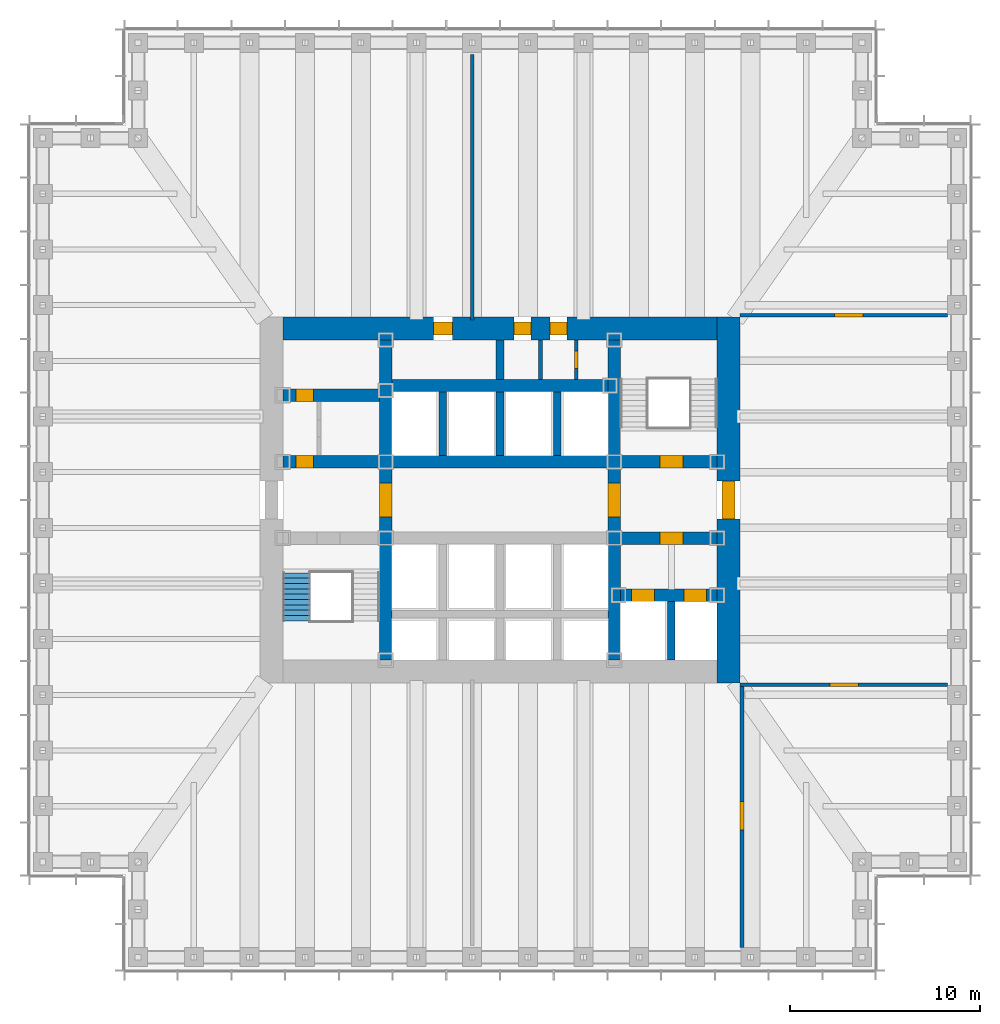
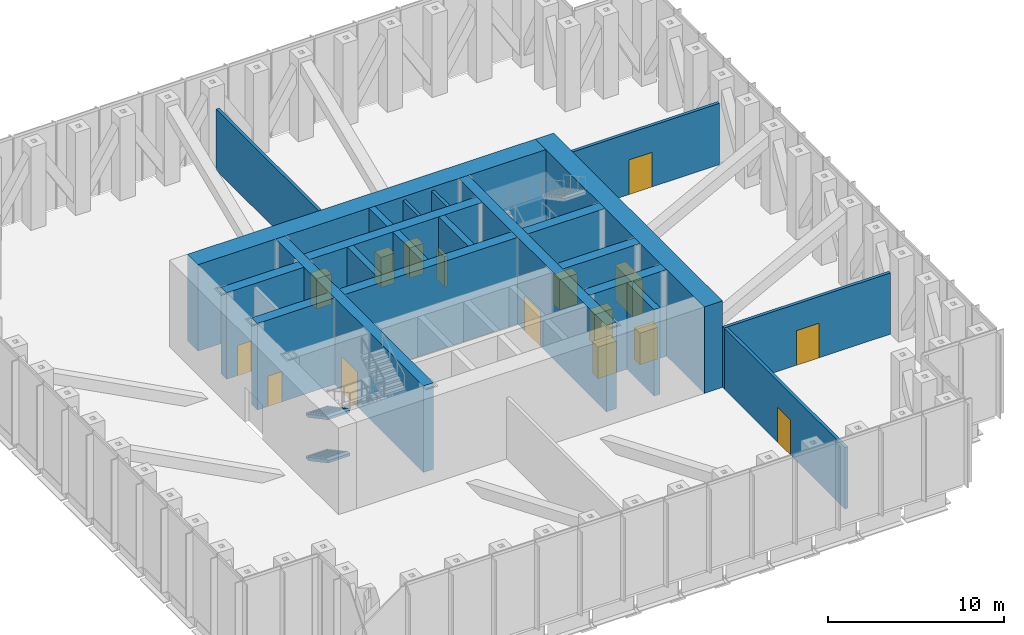
# One storey, part 9 of 15: 22 walls, 16 doors, 2 stair flights, 16 openings, 1 element without a shape of its own.
"""IFC4 building model written with IfcOpenShell, lengths in metres."""

from ifc_helpers import new_model, si_unit, direction, frame, frame_2d, origin, place, context, subcontext, project, spatial, polyline, rectangle, outline, extrude, material, layer, layer_set, type_object, element, fill, aggregate, save


model = new_model("IFC4")

# Units and contexts
model_context = context("Model", 3, precision=1e-05, world=origin(), true_north=direction((0.0, 1.0)))
body_context = subcontext(model_context, "Body", "Model", "MODEL_VIEW")
ifc_project = project(units=[si_unit("LENGTHUNIT", "METRE"), si_unit("AREAUNIT", "SQUARE_METRE"), si_unit("VOLUMEUNIT", "CUBIC_METRE"), si_unit("PLANEANGLEUNIT", "RADIAN"), si_unit("MASSUNIT", "GRAM", prefix="KILO")], contexts=[model_context])

# Site, building, storey
site_placement = place(None, origin())
site = spatial("IfcSite", under=ifc_project, at=site_placement, CompositionType="ELEMENT")
building_placement = place(site_placement, origin())
building = spatial("IfcBuilding", under=site, at=building_placement, Name="Daluyong Arena Tower", CompositionType="ELEMENT")
storey_placement = place(building_placement, frame((0.0, 0.0, 102.10009765625)))
storey = spatial("IfcBuildingStorey", under=building, at=storey_placement, Name="L22", CompositionType="ELEMENT", Elevation=102.10009765625)

# Wall, opening, door
ifc_material_1 = material(Name="Concrete fc' 60 MPa", Category="concrete")
ifc_layer_1 = layer(ifc_material_1, 0.64990234375)
ifc_layer_set_1 = layer_set([ifc_layer_1], Name="Concrete fc' 60 MPa")
wall_type_1 = type_object("IfcWallType", Name="Core inner wall 650", PredefinedType="SHEAR", material=ifc_layer_set_1)
wall_1_placement = place(storey_placement, frame((50.0, 71.60009765625, 0.0), z_axis=(0.0, 0.0, 1.0), x_axis=(0.0, 1.0, 0.0)))
wall_1 = element("IfcWall", 1, at=wall_1_placement, inside=storey, type_object=wall_type_1, Name="core inner wall at L22", PredefinedType="SHEAR", context=body_context, shape_type="SweptSolid", body=[
    extrude(rectangle(XDim=16.7998046875, YDim=0.64990234375, at=frame_2d((8.39990234375, 0.0))), origin(), (0.0, 0.0, 1.0), 6.0),
])
opening_1_placement = place(wall_1_placement, frame((7.5, 0.0, 0.0)))
opening_1 = element("IfcOpeningElement", 2, at=opening_1_placement, cuts=wall_1, Name="Opening 22012", PredefinedType="OPENING", context=body_context, shape_type="SweptSolid", body=[
    extrude(rectangle(XDim=1.800048828125, YDim=2.39990234375, at=frame_2d((0.89990234375, 1.199951171875))), frame((0.0, 0.3349609375, 0.0), z_axis=(0.0, -1.0, 0.0), x_axis=(1.0, 0.0, 0.0)), (0.0, 0.0, 1.0), 0.669921875),
])
ifc_material_2 = material(Name="Steel door, fire rated", Category="steel")
door_type_1 = type_object("IfcDoorType", Name="Lift lobby opening door 1800", OperationType="DOUBLE_DOOR_SINGLE_SWING", PredefinedType="DOOR", material=ifc_material_2)
door_1_placement = place(opening_1_placement, origin())
door_1 = element("IfcDoor", 3, at=door_1_placement, inside=storey, type_object=door_type_1, Name="lift lobby door west 22012", OperationType="DOUBLE_DOOR_SINGLE_SWING", OverallHeight=2.39990234375, OverallWidth=1.800048828125, PredefinedType="DOOR", context=body_context, shape_type="SweptSolid", body=[
    extrude(rectangle(XDim=1.800048828125, YDim=2.39990234375, at=frame_2d((0.89990234375, 1.199951171875))), frame((0.0, 0.32470703125, 0.0), z_axis=(0.0, -1.0, 0.0), x_axis=(1.0, 0.0, 0.0)), (0.0, 0.0, 1.0), 0.6494140625),
])
fill(opening_1, door_1)

wall_2_placement = place(storey_placement, frame((62.0, 71.60009765625, 0.0), z_axis=(0.0, 0.0, 1.0), x_axis=(0.0, 1.0, 0.0)))
wall_2 = element("IfcWall", 4, at=wall_2_placement, inside=storey, type_object=wall_type_1, Name="core inner wall at L22", PredefinedType="SHEAR", context=body_context, shape_type="SweptSolid", body=[
    extrude(rectangle(XDim=16.7998046875, YDim=0.64990234375, at=frame_2d((8.39990234375, 0.0))), origin(), (0.0, 0.0, 1.0), 6.0),
])
opening_2_placement = place(wall_2_placement, frame((7.5, 0.0, 0.0)))
opening_2 = element("IfcOpeningElement", 5, at=opening_2_placement, cuts=wall_2, Name="Opening 22013", PredefinedType="OPENING", context=body_context, shape_type="SweptSolid", body=[
    extrude(rectangle(XDim=1.800048828125, YDim=2.39990234375, at=frame_2d((0.89990234375, 1.199951171875))), frame((0.0, 0.3349609375, 0.0), z_axis=(0.0, -1.0, 0.0), x_axis=(1.0, 0.0, 0.0)), (0.0, 0.0, 1.0), 0.669921875),
])
door_2_placement = place(opening_2_placement, origin())
door_2 = element("IfcDoor", 6, at=door_2_placement, inside=storey, type_object=door_type_1, Name="lift lobby door east 22013", OperationType="DOUBLE_DOOR_SINGLE_SWING", OverallHeight=2.39990234375, OverallWidth=1.800048828125, PredefinedType="DOOR", context=body_context, shape_type="SweptSolid", body=[
    extrude(rectangle(XDim=1.800048828125, YDim=2.39990234375, at=frame_2d((0.89990234375, 1.199951171875))), frame((0.0, 0.32470703125, 0.0), z_axis=(0.0, -1.0, 0.0), x_axis=(1.0, 0.0, 0.0)), (0.0, 0.0, 1.0), 0.6494140625),
])
fill(opening_2, door_2)

wall_3_placement = place(storey_placement, frame((44.60009765625, 82.0, 0.0), z_axis=(0.0, 0.0, 1.0), x_axis=(1.0, 0.0, 0.0)))
wall_3 = element("IfcWall", 7, at=wall_3_placement, inside=storey, type_object=wall_type_1, Name="core inner wall at L22", PredefinedType="SHEAR", context=body_context, shape_type="SweptSolid", body=[
    extrude(rectangle(XDim=5.074951171875, YDim=0.64990234375, at=frame_2d((2.53759765625, 0.0))), origin(), (0.0, 0.0, 1.0), 6.0),
])
opening_3_placement = place(wall_3_placement, frame((0.699951171875, 0.0, 0.0)))
opening_3 = element("IfcOpeningElement", 8, at=opening_3_placement, cuts=wall_3, Name="Opening 22001", PredefinedType="OPENING", context=body_context, shape_type="SweptSolid", body=[
    extrude(rectangle(XDim=0.89990234375, YDim=2.10009765625, at=frame_2d((0.449951171875, 1.050048828125))), frame((0.0, 0.3349609375, 0.0), z_axis=(0.0, -1.0, 0.0), x_axis=(1.0, 0.0, 0.0)), (0.0, 0.0, 1.0), 0.669921875),
])
ifc_material_3 = material(Name="Steel door, fire rated", Category="steel")
door_type_2 = type_object("IfcDoorType", Name="Core room door 900", OperationType="SINGLE_SWING_LEFT", PredefinedType="DOOR", material=ifc_material_3)
door_3_placement = place(opening_3_placement, origin())
door_3 = element("IfcDoor", 9, at=door_3_placement, inside=storey, type_object=door_type_2, Name="toilet lobby door 22001", OperationType="SINGLE_SWING_LEFT", OverallHeight=2.10009765625, OverallWidth=0.89990234375, PredefinedType="DOOR", context=body_context, shape_type="SweptSolid", body=[
    extrude(rectangle(XDim=0.89990234375, YDim=2.10009765625, at=frame_2d((0.449951171875, 1.050048828125))), frame((0.0, 0.32470703125, 0.0), z_axis=(0.0, -1.0, 0.0), x_axis=(1.0, 0.0, 0.0)), (0.0, 0.0, 1.0), 0.6494140625),
])
fill(opening_3, door_3)

wall_4_placement = place(storey_placement, frame((44.60009765625, 85.5, 0.0), z_axis=(0.0, 0.0, 1.0), x_axis=(1.0, 0.0, 0.0)))
wall_4 = element("IfcWall", 10, at=wall_4_placement, inside=storey, type_object=wall_type_1, Name="core inner wall at L22", PredefinedType="SHEAR", context=body_context, shape_type="SweptSolid", body=[
    extrude(rectangle(XDim=5.074951171875, YDim=0.64990234375, at=frame_2d((2.53759765625, 0.0))), origin(), (0.0, 0.0, 1.0), 6.0),
])
opening_4_placement = place(wall_4_placement, frame((0.699951171875, 0.0, 0.0)))
opening_4 = element("IfcOpeningElement", 11, at=opening_4_placement, cuts=wall_4, Name="Opening 22003", PredefinedType="OPENING", context=body_context, shape_type="SweptSolid", body=[
    extrude(rectangle(XDim=0.89990234375, YDim=2.10009765625, at=frame_2d((0.449951171875, 1.050048828125))), frame((0.0, 0.3349609375, 0.0), z_axis=(0.0, -1.0, 0.0), x_axis=(1.0, 0.0, 0.0)), (0.0, 0.0, 1.0), 0.669921875),
])
ifc_material_4 = material(Name="Timber door", Category="wood")
door_type_3 = type_object("IfcDoorType", Name="Toilet door 900", OperationType="SINGLE_SWING_RIGHT", PredefinedType="DOOR", material=ifc_material_4)
door_4_placement = place(opening_4_placement, origin())
door_4 = element("IfcDoor", 12, at=door_4_placement, inside=storey, type_object=door_type_3, Name="female toilet door 22003", OperationType="SINGLE_SWING_RIGHT", OverallHeight=2.10009765625, OverallWidth=0.89990234375, PredefinedType="DOOR", context=body_context, shape_type="SweptSolid", body=[
    extrude(rectangle(XDim=0.89990234375, YDim=2.10009765625, at=frame_2d((0.449951171875, 1.050048828125))), frame((0.0, 0.32470703125, 0.0), z_axis=(0.0, -1.0, 0.0), x_axis=(1.0, 0.0, 0.0)), (0.0, 0.0, 1.0), 0.6494140625),
])
fill(opening_4, door_4)

# Wall, openings, doors
wall_5_placement = place(storey_placement, frame((62.324951171875, 75.0, 0.0), z_axis=(0.0, 0.0, 1.0), x_axis=(1.0, 0.0, 0.0)))
wall_5 = element("IfcWall", 13, at=wall_5_placement, inside=storey, type_object=wall_type_1, Name="core inner wall at L22", PredefinedType="SHEAR", context=body_context, shape_type="SweptSolid", body=[
    extrude(rectangle(XDim=5.074951171875, YDim=0.64990234375, at=frame_2d((2.53759765625, 0.0))), origin(), (0.0, 0.0, 1.0), 6.0),
])
opening_5_placement = place(wall_5_placement, frame((0.574951171875, 0.0, 0.0)))
opening_5 = element("IfcOpeningElement", 14, at=opening_5_placement, cuts=wall_5, Name="Opening 22015", PredefinedType="OPENING", context=body_context, shape_type="SweptSolid", body=[
    extrude(rectangle(XDim=1.199951171875, YDim=2.199951171875, at=frame_2d((0.60009765625, 1.10009765625))), frame((0.0, 0.3349609375, 0.0), z_axis=(0.0, -1.0, 0.0), x_axis=(1.0, 0.0, 0.0)), (0.0, 0.0, 1.0), 0.669921875),
])
opening_6_placement = place(wall_5_placement, frame((3.324951171875, 0.0, 0.0)))
opening_6 = element("IfcOpeningElement", 15, at=opening_6_placement, cuts=wall_5, Name="Opening 22016", PredefinedType="OPENING", context=body_context, shape_type="SweptSolid", body=[
    extrude(rectangle(XDim=1.199951171875, YDim=2.199951171875, at=frame_2d((0.60009765625, 1.10009765625))), frame((0.0, 0.3349609375, 0.0), z_axis=(0.0, -1.0, 0.0), x_axis=(1.0, 0.0, 0.0)), (0.0, 0.0, 1.0), 0.669921875),
])
ifc_material_5 = material(Name="Steel door, fire rated", Category="steel")
door_type_4 = type_object("IfcDoorType", Name="Firefighting lift landing door 1200", OperationType="SLIDING_TO_LEFT", PredefinedType="DOOR", material=ifc_material_5)
door_5_placement = place(opening_5_placement, origin())
door_5 = element("IfcDoor", 16, at=door_5_placement, inside=storey, type_object=door_type_4, Name="firefighting lift landing door F1 22015", OperationType="SLIDING_TO_LEFT", OverallHeight=2.199951171875, OverallWidth=1.199951171875, PredefinedType="DOOR", context=body_context, shape_type="SweptSolid", body=[
    extrude(rectangle(XDim=1.199951171875, YDim=2.199951171875, at=frame_2d((0.60009765625, 1.10009765625))), frame((0.0, 0.32470703125, 0.0), z_axis=(0.0, -1.0, 0.0), x_axis=(1.0, 0.0, 0.0)), (0.0, 0.0, 1.0), 0.6494140625),
])
fill(opening_5, door_5)
door_6_placement = place(opening_6_placement, origin())
door_6 = element("IfcDoor", 17, at=door_6_placement, inside=storey, type_object=door_type_4, Name="firefighting lift landing door F2 22016", OperationType="SLIDING_TO_LEFT", OverallHeight=2.199951171875, OverallWidth=1.199951171875, PredefinedType="DOOR", context=body_context, shape_type="SweptSolid", body=[
    extrude(rectangle(XDim=1.199951171875, YDim=2.199951171875, at=frame_2d((0.60009765625, 1.10009765625))), frame((0.0, 0.32470703125, 0.0), z_axis=(0.0, -1.0, 0.0), x_axis=(1.0, 0.0, 0.0)), (0.0, 0.0, 1.0), 0.6494140625),
])
fill(opening_6, door_6)

# Wall, opening, door
wall_6_placement = place(storey_placement, frame((62.324951171875, 78.0, 0.0), z_axis=(0.0, 0.0, 1.0), x_axis=(1.0, 0.0, 0.0)))
wall_6 = element("IfcWall", 18, at=wall_6_placement, inside=storey, type_object=wall_type_1, Name="core inner wall at L22", PredefinedType="SHEAR", context=body_context, shape_type="SweptSolid", body=[
    extrude(rectangle(XDim=5.074951171875, YDim=0.64990234375, at=frame_2d((2.53759765625, 0.0))), origin(), (0.0, 0.0, 1.0), 6.0),
])
opening_7_placement = place(wall_6_placement, frame((2.074951171875, 0.0, 0.0)))
opening_7 = element("IfcOpeningElement", 19, at=opening_7_placement, cuts=wall_6, Name="Opening 22014", PredefinedType="OPENING", context=body_context, shape_type="SweptSolid", body=[
    extrude(rectangle(XDim=1.199951171875, YDim=2.10009765625, at=frame_2d((0.60009765625, 1.050048828125))), frame((0.0, 0.3349609375, 0.0), z_axis=(0.0, -1.0, 0.0), x_axis=(1.0, 0.0, 0.0)), (0.0, 0.0, 1.0), 0.669921875),
])
ifc_material_6 = material(Name="Steel door, fire rated", Category="steel")
door_type_5 = type_object("IfcDoorType", Name="Firefighting lobby door 1200", OperationType="SINGLE_SWING_RIGHT", PredefinedType="DOOR", material=ifc_material_6)
door_7_placement = place(opening_7_placement, origin())
door_7 = element("IfcDoor", 20, at=door_7_placement, inside=storey, type_object=door_type_5, Name="firefighting lobby door 22014", OperationType="SINGLE_SWING_RIGHT", OverallHeight=2.10009765625, OverallWidth=1.199951171875, PredefinedType="DOOR", context=body_context, shape_type="SweptSolid", body=[
    extrude(rectangle(XDim=1.199951171875, YDim=2.10009765625, at=frame_2d((0.60009765625, 1.050048828125))), frame((0.0, 0.32470703125, 0.0), z_axis=(0.0, -1.0, 0.0), x_axis=(1.0, 0.0, 0.0)), (0.0, 0.0, 1.0), 0.6494140625),
])
fill(opening_7, door_7)

wall_7_placement = place(storey_placement, frame((62.324951171875, 82.0, 0.0), z_axis=(0.0, 0.0, 1.0), x_axis=(1.0, 0.0, 0.0)))
wall_7 = element("IfcWall", 21, at=wall_7_placement, inside=storey, type_object=wall_type_1, Name="core inner wall at L22", PredefinedType="SHEAR", context=body_context, shape_type="SweptSolid", body=[
    extrude(rectangle(XDim=5.074951171875, YDim=0.64990234375, at=frame_2d((2.53759765625, 0.0))), origin(), (0.0, 0.0, 1.0), 6.0),
])
opening_8_placement = place(wall_7_placement, frame((2.074951171875, 0.0, 0.0)))
opening_8 = element("IfcOpeningElement", 22, at=opening_8_placement, cuts=wall_7, Name="Opening 22009", PredefinedType="OPENING", context=body_context, shape_type="SweptSolid", body=[
    extrude(rectangle(XDim=1.199951171875, YDim=2.10009765625, at=frame_2d((0.60009765625, 1.050048828125))), frame((0.0, 0.3349609375, 0.0), z_axis=(0.0, -1.0, 0.0), x_axis=(1.0, 0.0, 0.0)), (0.0, 0.0, 1.0), 0.669921875),
])
ifc_material_7 = material(Name="Steel door, fire rated", Category="steel")
door_type_6 = type_object("IfcDoorType", Name="Stair door 1200", OperationType="SINGLE_SWING_LEFT", PredefinedType="DOOR", material=ifc_material_7)
door_8_placement = place(opening_8_placement, origin())
door_8 = element("IfcDoor", 23, at=door_8_placement, inside=storey, type_object=door_type_6, Name="stair B door 22009", OperationType="SINGLE_SWING_LEFT", OverallHeight=2.10009765625, OverallWidth=1.199951171875, PredefinedType="DOOR", context=body_context, shape_type="SweptSolid", body=[
    extrude(rectangle(XDim=1.199951171875, YDim=2.10009765625, at=frame_2d((0.60009765625, 1.050048828125))), frame((0.0, 0.32470703125, 0.0), z_axis=(0.0, -1.0, 0.0), x_axis=(1.0, 0.0, 0.0)), (0.0, 0.0, 1.0), 0.6494140625),
])
fill(opening_8, door_8)

# Walls
for number, where, z_axis, x_axis, name in (
    (24, (50.324951171875, 82.0, 0.0), (0.0, 0.0, 1.0), (1.0, 0.0, 0.0), "core inner wall at L22"),
    (25, (50.324951171875, 86.0, 0.0), (0.0, 0.0, 1.0), (1.0, 0.0, 0.0), "core inner wall at L22"),
):
    element("IfcWall", number, at=place(storey_placement, frame(where, z_axis=z_axis, x_axis=x_axis)), inside=storey, type_object=wall_type_1, Name=name, PredefinedType="SHEAR", context=body_context, shape_type="SweptSolid", body=[
        extrude(rectangle(XDim=11.35009765625, YDim=0.64990234375, at=frame_2d((5.675048828125, 0.0))), origin(), (0.0, 0.0, 1.0), 6.0),
    ])

# Wall, opening, door
ifc_material_8 = material(Name="Concrete fc' 60 MPa", Category="concrete")
ifc_layer_2 = layer(ifc_material_8, 1.199951171875)
ifc_layer_set_2 = layer_set([ifc_layer_2], Name="Concrete fc' 60 MPa")
wall_type_2 = type_object("IfcWallType", Name="Core wall 1200", PredefinedType="SHEAR", material=ifc_layer_set_2)
wall_8_placement = place(storey_placement, frame((68.0, 70.39990234375, 0.0), z_axis=(0.0, 0.0, 1.0), x_axis=(0.0, 1.0, 0.0)))
wall_8 = element("IfcWall", 26, at=wall_8_placement, inside=storey, type_object=wall_type_2, Name="core wall at L22", PredefinedType="SHEAR", context=body_context, shape_type="SweptSolid", body=[
    extrude(rectangle(XDim=19.2001953125, YDim=1.199951171875, at=frame_2d((9.60009765625, 0.0))), origin(), (0.0, 0.0, 1.0), 6.0),
])
opening_9_placement = place(wall_8_placement, frame((8.60009765625, 0.0, 0.0)))
opening_9 = element("IfcOpeningElement", 27, at=opening_9_placement, cuts=wall_8, Name="Opening 22011", PredefinedType="OPENING", context=body_context, shape_type="SweptSolid", body=[
    extrude(rectangle(XDim=2.0, YDim=2.39990234375, at=frame_2d((1.0, 1.199951171875))), frame((0.0, 0.60986328125, 0.0), z_axis=(0.0, -1.0, 0.0), x_axis=(1.0, 0.0, 0.0)), (0.0, 0.0, 1.0), 1.219970703125),
])
ifc_material_9 = material(Name="Steel door, fire rated", Category="steel")
door_type_7 = type_object("IfcDoorType", Name="Core lobby double door 2000", OperationType="DOUBLE_DOOR_SINGLE_SWING", PredefinedType="DOOR", material=ifc_material_9)
door_9_placement = place(opening_9_placement, origin())
door_9 = element("IfcDoor", 28, at=door_9_placement, inside=storey, type_object=door_type_7, Name="mechanical plant room door 22011", OperationType="DOUBLE_DOOR_SINGLE_SWING", OverallHeight=2.39990234375, OverallWidth=2.0, PredefinedType="DOOR", context=body_context, shape_type="SweptSolid", body=[
    extrude(rectangle(XDim=2.0, YDim=2.39990234375, at=frame_2d((1.0, 1.199951171875))), frame((0.0, 0.35009765625, 0.0), z_axis=(0.0, -1.0, 0.0), x_axis=(1.0, 0.0, 0.0)), (0.0, 0.0, 1.0), 0.699951171875),
])
fill(opening_9, door_9)

# Wall, openings, doors
wall_9_placement = place(storey_placement, frame((44.60009765625, 89.0, 0.0), z_axis=(0.0, 0.0, 1.0), x_axis=(1.0, 0.0, 0.0)))
wall_9 = element("IfcWall", 29, at=wall_9_placement, inside=storey, type_object=wall_type_2, Name="core wall at L22", PredefinedType="SHEAR", context=body_context, shape_type="SweptSolid", body=[
    extrude(rectangle(XDim=22.7998046875, YDim=1.199951171875, at=frame_2d((11.39990234375, 0.0))), origin(), (0.0, 0.0, 1.0), 6.0),
])
opening_10_placement = place(wall_9_placement, frame((7.89990234375, 0.0, 0.0)))
opening_10 = element("IfcOpeningElement", 30, at=opening_10_placement, cuts=wall_9, Name="Opening 22004", PredefinedType="OPENING", context=body_context, shape_type="SweptSolid", body=[
    extrude(rectangle(XDim=1.0, YDim=2.10009765625, at=frame_2d((0.5, 1.050048828125))), frame((0.0, 0.60986328125, 0.0), z_axis=(0.0, -1.0, 0.0), x_axis=(1.0, 0.0, 0.0)), (0.0, 0.0, 1.0), 1.219970703125),
])
opening_11_placement = place(wall_9_placement, frame((12.125, 0.0, 0.0)))
opening_11 = element("IfcOpeningElement", 31, at=opening_11_placement, cuts=wall_9, Name="Opening 22005", PredefinedType="OPENING", context=body_context, shape_type="SweptSolid", body=[
    extrude(rectangle(XDim=0.89990234375, YDim=2.10009765625, at=frame_2d((0.449951171875, 1.050048828125))), frame((0.0, 0.60986328125, 0.0), z_axis=(0.0, -1.0, 0.0), x_axis=(1.0, 0.0, 0.0)), (0.0, 0.0, 1.0), 1.219970703125),
])
opening_12_placement = place(wall_9_placement, frame((14.012451171875, 0.0, 0.0)))
opening_12 = element("IfcOpeningElement", 32, at=opening_12_placement, cuts=wall_9, Name="Opening 22006", PredefinedType="OPENING", context=body_context, shape_type="SweptSolid", body=[
    extrude(rectangle(XDim=0.89990234375, YDim=2.10009765625, at=frame_2d((0.449951171875, 1.050048828125))), frame((0.0, 0.60986328125, 0.0), z_axis=(0.0, -1.0, 0.0), x_axis=(1.0, 0.0, 0.0)), (0.0, 0.0, 1.0), 1.219970703125),
])
ifc_material_10 = material(Name="Timber door", Category="wood")
door_type_8 = type_object("IfcDoorType", Name="Accessible toilet door 1000", OperationType="SINGLE_SWING_LEFT", PredefinedType="DOOR", material=ifc_material_10)
door_10_placement = place(opening_10_placement, origin())
door_10 = element("IfcDoor", 33, at=door_10_placement, inside=storey, type_object=door_type_8, Name="accessible toilet door 22004", OperationType="SINGLE_SWING_LEFT", OverallHeight=2.10009765625, OverallWidth=1.0, PredefinedType="DOOR", context=body_context, shape_type="SweptSolid", body=[
    extrude(rectangle(XDim=1.0, YDim=2.10009765625, at=frame_2d((0.5, 1.050048828125))), frame((0.0, 0.35009765625, 0.0), z_axis=(0.0, -1.0, 0.0), x_axis=(1.0, 0.0, 0.0)), (0.0, 0.0, 1.0), 0.699951171875),
])
fill(opening_10, door_10)
ifc_material_11 = material(Name="Steel door, fire rated", Category="steel")
door_type_9 = type_object("IfcDoorType", Name="Core store door 900", OperationType="SINGLE_SWING_LEFT", PredefinedType="DOOR", material=ifc_material_11)
door_11_placement = place(opening_11_placement, origin())
door_11 = element("IfcDoor", 34, at=door_11_placement, inside=storey, type_object=door_type_9, Name="cleaner's store door 22005", OperationType="SINGLE_SWING_LEFT", OverallHeight=2.10009765625, OverallWidth=0.89990234375, PredefinedType="DOOR", context=body_context, shape_type="SweptSolid", body=[
    extrude(rectangle(XDim=0.89990234375, YDim=2.10009765625, at=frame_2d((0.449951171875, 1.050048828125))), frame((0.0, 0.35009765625, 0.0), z_axis=(0.0, -1.0, 0.0), x_axis=(1.0, 0.0, 0.0)), (0.0, 0.0, 1.0), 0.699951171875),
])
fill(opening_11, door_11)
ifc_material_12 = material(Name="Steel door, fire rated", Category="steel")
door_type_10 = type_object("IfcDoorType", Name="Plant room door 900", OperationType="SINGLE_SWING_LEFT", PredefinedType="DOOR", material=ifc_material_12)
door_12_placement = place(opening_12_placement, origin())
door_12 = element("IfcDoor", 35, at=door_12_placement, inside=storey, type_object=door_type_10, Name="electrical switch room door 22006", OperationType="SINGLE_SWING_LEFT", OverallHeight=2.10009765625, OverallWidth=0.89990234375, PredefinedType="DOOR", context=body_context, shape_type="SweptSolid", body=[
    extrude(rectangle(XDim=0.89990234375, YDim=2.10009765625, at=frame_2d((0.449951171875, 1.050048828125))), frame((0.0, 0.35009765625, 0.0), z_axis=(0.0, -1.0, 0.0), x_axis=(1.0, 0.0, 0.0)), (0.0, 0.0, 1.0), 0.699951171875),
])
fill(opening_12, door_12)

# Wall, opening, door
ifc_material_13 = material(Name="Concrete block partition, fire rated", Category="concrete")
ifc_layer_3 = layer(ifc_material_13, 0.199951171875)
ifc_layer_set_3 = layer_set([ifc_layer_3], Name="Concrete block partition, fire rated")
wall_type_3 = type_object("IfcWallType", Name="Fire-rated partition 200", PredefinedType="PARTITIONING", material=ifc_layer_set_3)
wall_10_placement = place(storey_placement, frame((60.0, 86.324951171875, 0.0), z_axis=(0.0, 0.0, 1.0), x_axis=(0.0, 1.0, 0.0)))
wall_10 = element("IfcWall", 36, at=wall_10_placement, inside=storey, type_object=wall_type_3, Name="electrical riser enclosure at L22", PredefinedType="PARTITIONING", context=body_context, shape_type="SweptSolid", body=[
    extrude(rectangle(XDim=2.074951171875, YDim=0.199951171875, at=frame_2d((1.03759765625, 0.0))), origin(), (0.0, 0.0, 1.0), 5.75),
])
opening_13_placement = place(wall_10_placement, frame((0.58740234375, 0.0, 0.0)))
opening_13 = element("IfcOpeningElement", 37, at=opening_13_placement, cuts=wall_10, Name="Opening 22007", PredefinedType="OPENING", context=body_context, shape_type="SweptSolid", body=[
    extrude(rectangle(XDim=0.89990234375, YDim=2.10009765625, at=frame_2d((0.449951171875, 1.050048828125))), frame((0.0, 0.10986328125, 0.0), z_axis=(0.0, -1.0, 0.0), x_axis=(1.0, 0.0, 0.0)), (0.0, 0.0, 1.0), 0.219970703125),
])
ifc_material_14 = material(Name="Steel door, fire rated", Category="steel")
door_type_11 = type_object("IfcDoorType", Name="Riser door 900", OperationType="SINGLE_SWING_LEFT", PredefinedType="DOOR", material=ifc_material_14)
door_13_placement = place(opening_13_placement, origin())
door_13 = element("IfcDoor", 38, at=door_13_placement, inside=storey, type_object=door_type_11, Name="riser door 22007", OperationType="SINGLE_SWING_LEFT", OverallHeight=2.10009765625, OverallWidth=0.89990234375, PredefinedType="DOOR", context=body_context, shape_type="SweptSolid", body=[
    extrude(rectangle(XDim=0.89990234375, YDim=2.10009765625, at=frame_2d((0.449951171875, 1.050048828125))), frame((0.0, 0.099609375, 0.0), z_axis=(0.0, -1.0, 0.0), x_axis=(1.0, 0.0, 0.0)), (0.0, 0.0, 1.0), 0.199462890625),
])
fill(opening_13, door_13)

# Walls
wall_11_placement = place(storey_placement, frame((58.125, 86.324951171875, 0.0), z_axis=(0.0, 0.0, 1.0), x_axis=(0.0, 1.0, 0.0)))
element("IfcWall", 39, at=wall_11_placement, inside=storey, type_object=wall_type_3, Name="core room partition at L22", PredefinedType="PARTITIONING", context=body_context, shape_type="SweptSolid", body=[
    extrude(rectangle(XDim=2.074951171875, YDim=0.199951171875, at=frame_2d((1.03759765625, 0.0))), origin(), (0.0, 0.0, 1.0), 5.75),
])
wall_12_placement = place(storey_placement, frame((54.53857421875, 89.449951171875, 0.0), z_axis=(0.0, 0.0, 1.0), x_axis=(0.0, 1.0, 0.0)))
element("IfcWall", 40, at=wall_12_placement, inside=storey, type_object=wall_type_3, Name="refuge separation wall at L22", PredefinedType="PARTITIONING", context=body_context, shape_type="SweptSolid", body=[
    extrude(rectangle(XDim=13.949951171875, YDim=0.199951171875, at=frame_2d((6.97509765625, 0.0))), origin(), (0.0, 0.0, 1.0), 4.25),
])

# Wall, opening, door
wall_13_placement = place(storey_placement, frame((68.60009765625, 89.699951171875, 0.0), z_axis=(0.0, 0.0, 1.0), x_axis=(1.0, 0.0, 0.0)))
wall_13 = element("IfcWall", 41, at=wall_13_placement, inside=storey, type_object=wall_type_3, Name="plant room partition at L22", PredefinedType="PARTITIONING", context=body_context, shape_type="SweptSolid", body=[
    extrude(rectangle(XDim=10.89990234375, YDim=0.199951171875, at=frame_2d((5.449951171875, 0.0))), origin(), (0.0, 0.0, 1.0), 4.25),
])
opening_14_placement = place(wall_13_placement, frame((4.949951171875, 0.0, 0.0)))
opening_14 = element("IfcOpeningElement", 42, at=opening_14_placement, cuts=wall_13, Name="Opening 22017", PredefinedType="OPENING", context=body_context, shape_type="SweptSolid", body=[
    extrude(rectangle(XDim=1.5, YDim=2.39990234375, at=frame_2d((0.75, 1.199951171875))), frame((0.0, 0.10986328125, 0.0), z_axis=(0.0, -1.0, 0.0), x_axis=(1.0, 0.0, 0.0)), (0.0, 0.0, 1.0), 0.219970703125),
])
ifc_material_15 = material(Name="Steel door, fire rated", Category="steel")
door_type_12 = type_object("IfcDoorType", Name="Plant room door 1500", OperationType="DOUBLE_DOOR_SINGLE_SWING", PredefinedType="DOOR", material=ifc_material_15)
door_14_placement = place(opening_14_placement, origin())
door_14 = element("IfcDoor", 43, at=door_14_placement, inside=storey, type_object=door_type_12, Name="chiller plant room door 22017", OperationType="DOUBLE_DOOR_SINGLE_SWING", OverallHeight=2.39990234375, OverallWidth=1.5, PredefinedType="DOOR", context=body_context, shape_type="SweptSolid", body=[
    extrude(rectangle(XDim=1.5, YDim=2.39990234375, at=frame_2d((0.75, 1.199951171875))), frame((0.0, 0.099609375, 0.0), z_axis=(0.0, -1.0, 0.0), x_axis=(1.0, 0.0, 0.0)), (0.0, 0.0, 1.0), 0.199462890625),
])
fill(opening_14, door_14)

wall_14_placement = place(storey_placement, frame((68.60009765625, 70.300048828125, 0.0), z_axis=(0.0, 0.0, 1.0), x_axis=(1.0, 0.0, 0.0)))
wall_14 = element("IfcWall", 44, at=wall_14_placement, inside=storey, type_object=wall_type_3, Name="plant room partition at L22", PredefinedType="PARTITIONING", context=body_context, shape_type="SweptSolid", body=[
    extrude(rectangle(XDim=10.89990234375, YDim=0.199951171875, at=frame_2d((5.449951171875, 0.0))), origin(), (0.0, 0.0, 1.0), 4.25),
])
opening_15_placement = place(wall_14_placement, frame((4.72509765625, 0.0, 0.0)))
opening_15 = element("IfcOpeningElement", 45, at=opening_15_placement, cuts=wall_14, Name="Opening 22018", PredefinedType="OPENING", context=body_context, shape_type="SweptSolid", body=[
    extrude(rectangle(XDim=1.5, YDim=2.39990234375, at=frame_2d((0.75, 1.199951171875))), frame((0.0, 0.10986328125, 0.0), z_axis=(0.0, -1.0, 0.0), x_axis=(1.0, 0.0, 0.0)), (0.0, 0.0, 1.0), 0.219970703125),
])
door_15_placement = place(opening_15_placement, origin())
door_15 = element("IfcDoor", 46, at=door_15_placement, inside=storey, type_object=door_type_12, Name="switch room door 22018", OperationType="DOUBLE_DOOR_SINGLE_SWING", OverallHeight=2.39990234375, OverallWidth=1.5, PredefinedType="DOOR", context=body_context, shape_type="SweptSolid", body=[
    extrude(rectangle(XDim=1.5, YDim=2.39990234375, at=frame_2d((0.75, 1.199951171875))), frame((0.0, 0.099609375, 0.0), z_axis=(0.0, -1.0, 0.0), x_axis=(1.0, 0.0, 0.0)), (0.0, 0.0, 1.0), 0.199462890625),
])
fill(opening_15, door_15)

wall_15_placement = place(storey_placement, frame((68.699951171875, 70.199951171875, 0.0), z_axis=(0.0, 0.0, 1.0), x_axis=(0.0, -1.0, 0.0)))
wall_15 = element("IfcWall", 47, at=wall_15_placement, inside=storey, type_object=wall_type_3, Name="plant room partition at L22", PredefinedType="PARTITIONING", context=body_context, shape_type="SweptSolid", body=[
    extrude(rectangle(XDim=13.699951171875, YDim=0.199951171875, at=frame_2d((6.85009765625, 0.0))), origin(), (0.0, 0.0, 1.0), 4.25),
])
opening_16_placement = place(wall_15_placement, frame((6.02490234375, 0.0, 0.0)))
opening_16 = element("IfcOpeningElement", 48, at=opening_16_placement, cuts=wall_15, Name="Opening 22019", PredefinedType="OPENING", context=body_context, shape_type="SweptSolid", body=[
    extrude(rectangle(XDim=1.5, YDim=2.39990234375, at=frame_2d((0.75, 1.199951171875))), frame((0.0, 0.10986328125, 0.0), z_axis=(0.0, -1.0, 0.0), x_axis=(1.0, 0.0, 0.0)), (0.0, 0.0, 1.0), 0.219970703125),
])
door_16_placement = place(opening_16_placement, origin())
door_16 = element("IfcDoor", 49, at=door_16_placement, inside=storey, type_object=door_type_12, Name="air handling plant room door 22019", OperationType="DOUBLE_DOOR_SINGLE_SWING", OverallHeight=2.39990234375, OverallWidth=1.5, PredefinedType="DOOR", context=body_context, shape_type="SweptSolid", body=[
    extrude(rectangle(XDim=1.5, YDim=2.39990234375, at=frame_2d((0.75, 1.199951171875))), frame((0.0, 0.099609375, 0.0), z_axis=(0.0, -1.0, 0.0), x_axis=(1.0, 0.0, 0.0)), (0.0, 0.0, 1.0), 0.199462890625),
])
fill(opening_16, door_16)

# Walls
ifc_material_16 = material(Name="Concrete fc' 45 MPa", Category="concrete")
ifc_layer_4 = layer(ifc_material_16, 0.39990234375)
ifc_layer_set_4 = layer_set([ifc_layer_4], Name="Concrete fc' 45 MPa")
wall_type_4 = type_object("IfcWallType", Name="Lift shaft wall 400", PredefinedType="SHEAR", material=ifc_layer_set_4)
for number, where, z_axis, x_axis, name in (
    (50, (53.0, 82.324951171875, 0.0), (0.0, 0.0, 1.0), (0.0, 1.0, 0.0), "lift shaft wall at L22"),
    (51, (56.0, 82.324951171875, 0.0), (0.0, 0.0, 1.0), (0.0, 1.0, 0.0), "lift shaft wall at L22"),
    (52, (59.0, 82.324951171875, 0.0), (0.0, 0.0, 1.0), (0.0, 1.0, 0.0), "lift shaft wall at L22"),
):
    element("IfcWall", number, at=place(storey_placement, frame(where, z_axis=z_axis, x_axis=x_axis)), inside=storey, type_object=wall_type_4, Name=name, PredefinedType="SHEAR", context=body_context, shape_type="SweptSolid", body=[
        extrude(rectangle(XDim=3.35009765625, YDim=0.39990234375, at=frame_2d((1.675048828125, 0.0))), origin(), (0.0, 0.0, 1.0), 6.0),
    ])
wall_16_placement = place(storey_placement, frame((65.0, 71.60009765625, 0.0), z_axis=(0.0, 0.0, 1.0), x_axis=(0.0, 1.0, 0.0)))
element("IfcWall", 53, at=wall_16_placement, inside=storey, type_object=wall_type_4, Name="lift shaft wall at L22", PredefinedType="SHEAR", context=body_context, shape_type="SweptSolid", body=[
    extrude(rectangle(XDim=3.074951171875, YDim=0.39990234375, at=frame_2d((1.53759765625, 0.0))), origin(), (0.0, 0.0, 1.0), 6.0),
])
wall_17_placement = place(storey_placement, frame((56.0, 86.324951171875, 0.0), z_axis=(0.0, 0.0, 1.0), x_axis=(0.0, 1.0, 0.0)))
element("IfcWall", 54, at=wall_17_placement, inside=storey, type_object=wall_type_4, Name="lift shaft wall at L22", PredefinedType="SHEAR", context=body_context, shape_type="SweptSolid", body=[
    extrude(rectangle(XDim=2.074951171875, YDim=0.39990234375, at=frame_2d((1.03759765625, 0.0))), origin(), (0.0, 0.0, 1.0), 6.0),
])

# Stair, stair flights
ifc_material_17 = material(Name="Concrete fc' 35 MPa", Category="concrete")
stair_type = type_object("IfcStairType", Name="Core exit stair", PredefinedType="HALF_TURN_STAIR", material=ifc_material_17)
stair_placement = place(storey_placement, origin())
stair = element("IfcStair", 55, at=stair_placement, inside=storey, type_object=stair_type, Name="exit stair A L22", PredefinedType="HALF_TURN_STAIR")
ifc_material_18 = material(Name="Concrete fc' 35 MPa", Category="concrete")
stair_flight_type = type_object("IfcStairFlightType", Name="Core stair flight", PredefinedType="STRAIGHT", material=ifc_material_18)
stair_flight_1_placement = place(storey_placement, frame((45.324951171875, 76.175048828125, 0.0), z_axis=(0.0, 0.0, 1.0), x_axis=(0.0, -1.0, 0.0)))
stair_flight_1 = element("IfcStairFlight", 56, at=stair_flight_1_placement, type_object=stair_flight_type, Name="STA flight 1", NumberOfRisers=10, NumberOfTreads=9, PredefinedType="STRAIGHT", RiserHeight=0.15, TreadLength=0.28, context=body_context, shape_type="SweptSolid", body=[
    extrude(outline(polyline([(0.0, 0.0), (0.0, 0.14990234375), (0.280029296875, 0.14990234375), (0.280029296875, 0.300048828125), (0.56005859375, 0.300048828125), (0.56005859375, 0.449951171875), (0.840087890625, 0.449951171875), (0.840087890625, 0.60009765625), (1.1201171875, 0.60009765625), (1.1201171875, 0.75), (1.39990234375, 0.75), (1.39990234375, 0.89990234375), (1.679931640625, 0.89990234375), (1.679931640625, 1.050048828125), (1.9599609375, 1.050048828125), (1.9599609375, 1.199951171875), (2.239990234375, 1.199951171875), (2.239990234375, 1.35009765625), (2.52001953125, 1.35009765625), (2.52001953125, 1.5), (2.52001953125, 1.179931640625), (0.3173828125, 0.0), (0.0, 0.0)])), frame((0.0, 0.72509765625, 0.0), z_axis=(0.0, -1.0, 0.0), x_axis=(1.0, 0.0, 0.0)), (0.0, 0.0, 1.0), 1.449951171875),
])
stair_flight_2_placement = place(storey_placement, frame((45.324951171875, 76.175048828125, 3.0), z_axis=(0.0, 0.0, 1.0), x_axis=(0.0, -1.0, 0.0)))
stair_flight_2 = element("IfcStairFlight", 57, at=stair_flight_2_placement, type_object=stair_flight_type, Name="STA flight 3", NumberOfRisers=10, NumberOfTreads=9, PredefinedType="STRAIGHT", RiserHeight=0.15, TreadLength=0.28, context=body_context, shape_type="SweptSolid", body=[
    extrude(outline(polyline([(0.0, 0.0), (0.0, 0.14990234375), (0.280029296875, 0.14990234375), (0.280029296875, 0.300048828125), (0.56005859375, 0.300048828125), (0.56005859375, 0.449951171875), (0.840087890625, 0.449951171875), (0.840087890625, 0.60009765625), (1.1201171875, 0.60009765625), (1.1201171875, 0.75), (1.39990234375, 0.75), (1.39990234375, 0.89990234375), (1.679931640625, 0.89990234375), (1.679931640625, 1.050048828125), (1.9599609375, 1.050048828125), (1.9599609375, 1.199951171875), (2.239990234375, 1.199951171875), (2.239990234375, 1.35009765625), (2.52001953125, 1.35009765625), (2.52001953125, 1.5), (2.52001953125, 1.179931640625), (0.3173828125, 0.0), (0.0, 0.0)])), frame((0.0, 0.72509765625, 0.0), z_axis=(0.0, -1.0, 0.0), x_axis=(1.0, 0.0, 0.0)), (0.0, 0.0, 1.0), 1.449951171875),
])
aggregate(stair, [stair_flight_1, stair_flight_2])

save(model, "model.ifc")
